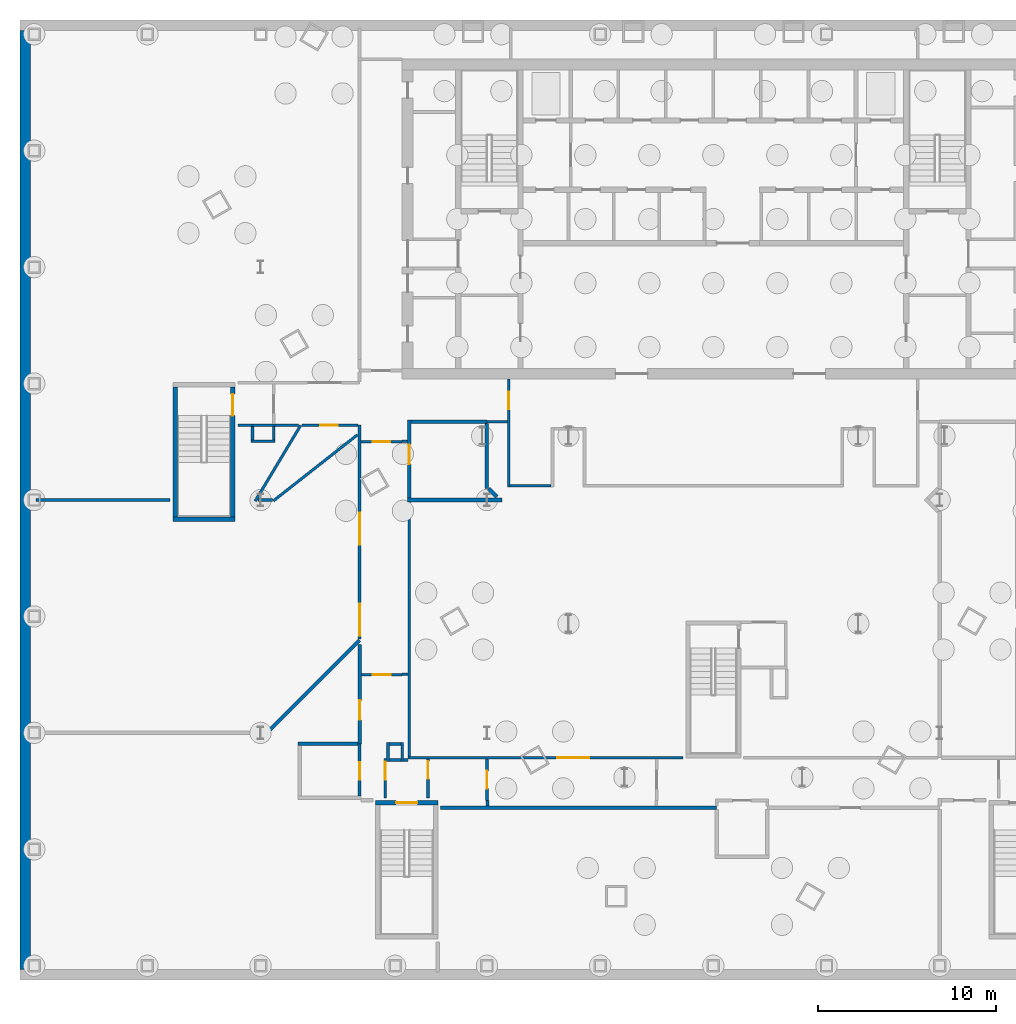
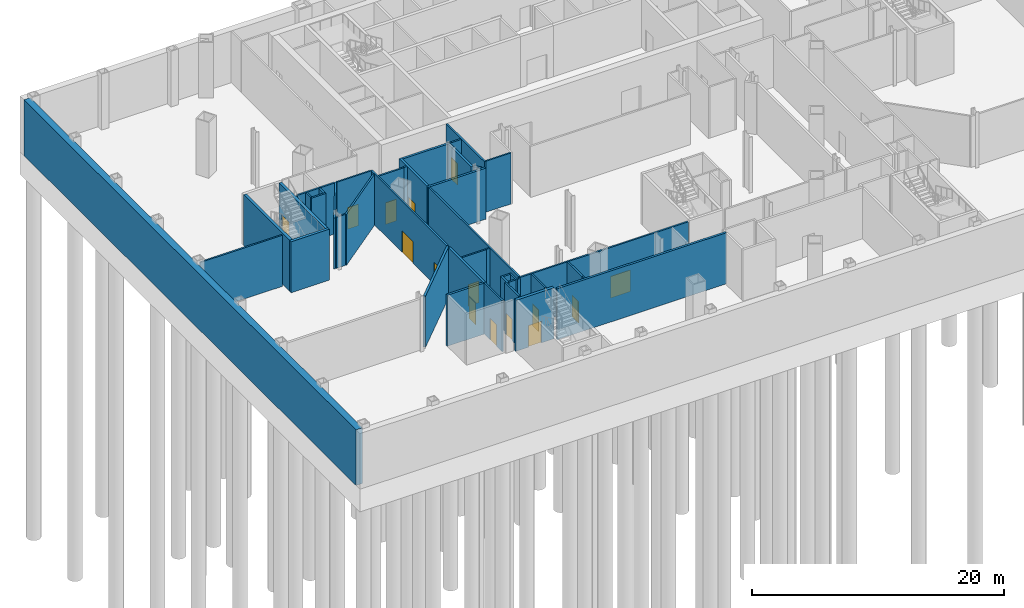
# One storey, part 6 of 19: 45 walls, 15 doors, 15 openings.
"""IFC4 building model written with IfcOpenShell, lengths in metres."""

import ifcopenshell
import ifcopenshell.guid

model = None  # the IFC model being written
_history = None  # IfcOwnerHistory: only IFC2X3 demands one
_inside = {}  # id of a spatial element -> (the spatial element, [elements in it])
_under = {}  # id of a project, library or spatial element -> (it, [spatial elements below it])
_declared = {}  # id of a project -> (the project, [libraries it declares])
_typed = {}  # id of a type object -> (the type object, [elements of that type])
_made_of = {}  # id of a material, layer set ... -> (it, [elements and type objects made of it])


def new_model(schema):
    """Start an empty IFC model of exactly this schema.

    Asked for "IFC4X3", IfcOpenShell would pick the latest addendum, in which some entities
    have other attributes; the version numbers below select the first issue.
    IFC2X3 requires an IfcOwnerHistory on every rooted entity: one is made here for all.
    """
    global model, _history
    if schema == "IFC4X3":
        model = ifcopenshell.file(schema_version=(4, 3, 0, 0))
    else:
        model = ifcopenshell.file(schema=schema)
    _inside.clear()
    _under.clear()
    _declared.clear()
    _typed.clear()
    _made_of.clear()
    _history = None
    if model.schema == "IFC2X3":
        org = make("IfcOrganization", Name="unknown")
        user = make(
            "IfcPersonAndOrganization",
            ThePerson=make("IfcPerson", FamilyName="unknown"),
            TheOrganization=org,
        )
        app = make(
            "IfcApplication",
            ApplicationDeveloper=org,
            Version="unknown",
            ApplicationFullName="unknown",
            ApplicationIdentifier="unknown",
        )
        _history = make(
            "IfcOwnerHistory",
            OwningUser=user,
            OwningApplication=app,
            ChangeAction="ADDED",
            CreationDate=0,
        )
    return model


def make(cls, **values):
    """One entity of the class cls with the attributes given. An attribute that is None is left unset."""
    return model.create_entity(
        cls, **{name: value for name, value in values.items() if value is not None}
    )


def rooted(cls, **values):
    """An entity with a GlobalId (a new one), such as an element, a storey or a relation."""
    return make(cls, GlobalId=ifcopenshell.guid.new(), OwnerHistory=_history, **values)


def si_unit(unit_type, name, prefix=None):
    """IfcSIUnit, for example si_unit("LENGTHUNIT", "METRE", prefix="MILLI")."""
    return make("IfcSIUnit", UnitType=unit_type, Prefix=prefix, Name=name)


def assignment(units):
    """IfcUnitAssignment: the units of a project."""
    return None if units is None else make("IfcUnitAssignment", Units=units)


def point(xyz):
    """IfcCartesianPoint."""
    return None if xyz is None else make("IfcCartesianPoint", Coordinates=xyz)


def direction(xyz):
    """IfcDirection."""
    return None if xyz is None else make("IfcDirection", DirectionRatios=xyz)


def frame(location, z_axis=None, x_axis=None):
    """IfcAxis2Placement3D, a coordinate frame: its origin and axes. An axis left out is left unset."""
    return make(
        "IfcAxis2Placement3D",
        Location=point(location),
        Axis=direction(z_axis),
        RefDirection=direction(x_axis),
    )


def frame_2d(location, x_axis=None):
    """IfcAxis2Placement2D, a coordinate frame in the plane: its origin and x axis."""
    return make(
        "IfcAxis2Placement2D", Location=point(location), RefDirection=direction(x_axis)
    )


def origin():
    """The frame at (0, 0, 0) with its axes left unset."""
    return frame((0.0, 0.0, 0.0))


def place(relative_to, where):
    """IfcLocalPlacement: puts the frame where relative to a parent placement (None: the world)."""
    return make(
        "IfcLocalPlacement", PlacementRelTo=relative_to, RelativePlacement=where
    )


def context(
    kind, dimensions, precision=None, world=None, true_north=None, identifier=None
):
    """IfcGeometricRepresentationContext, for example the 3D "Model" context."""
    return make(
        "IfcGeometricRepresentationContext",
        ContextIdentifier=identifier,
        ContextType=kind,
        CoordinateSpaceDimension=dimensions,
        Precision=precision,
        WorldCoordinateSystem=world,
        TrueNorth=true_north,
    )


def subcontext(parent, identifier, kind, view, scale=None):
    """IfcGeometricRepresentationSubContext, for example "Body" below "Model"."""
    return make(
        "IfcGeometricRepresentationSubContext",
        ContextIdentifier=identifier,
        ContextType=kind,
        ParentContext=parent,
        TargetScale=scale,
        TargetView=view,
    )


def project(units=None, contexts=None):
    """IfcProject with its units and contexts."""
    return rooted(
        "IfcProject",
        Name="project",
        RepresentationContexts=contexts,
        UnitsInContext=assignment(units),
    )


def spatial(cls, under=None, at=None, **own):
    """A site, building, storey or space (cls), placed at a placement, below another one or the project."""
    s = rooted(cls, ObjectPlacement=at, **own)
    if under is not None:
        _under.setdefault(under.id(), (under, []))[1].append(s)
    return s


def profile(cls, at=None, kind="AREA", **sizes):
    """A parametric profile (cls). Its sizes go by their IFC names, for example OverallWidth=200.0."""
    return make(cls, ProfileType=kind, Position=at, **sizes)


def rectangle(**sizes):
    """IfcRectangleProfileDef."""
    return profile("IfcRectangleProfileDef", **sizes)


def extrude(swept, where, along, depth):
    """IfcExtrudedAreaSolid: the profile swept, set in the frame where, extruded along a direction by depth."""
    return make(
        "IfcExtrudedAreaSolid",
        SweptArea=swept,
        Position=where,
        ExtrudedDirection=direction(along),
        Depth=depth,
    )


def shape(context_of_items, identifier, shape_type, items):
    """IfcShapeRepresentation: the items that make up one representation, for example the "Body"."""
    return make(
        "IfcShapeRepresentation",
        ContextOfItems=context_of_items,
        RepresentationIdentifier=identifier,
        RepresentationType=shape_type,
        Items=items,
    )


def material(Name=None, Category=None):
    """IfcMaterial."""
    return make("IfcMaterial", Name=Name, Category=Category)


def layer(
    of_material, thickness, ventilated=None, Name=None, Category=None, Priority=None
):
    """IfcMaterialLayer: one layer of a wall or slab, of a material (None: an air gap)."""
    return make(
        "IfcMaterialLayer",
        Material=of_material,
        LayerThickness=thickness,
        IsVentilated=ventilated,
        Name=Name,
        Category=Category,
        Priority=Priority,
    )


def layer_set(layers, Name=None):
    """IfcMaterialLayerSet."""
    return make("IfcMaterialLayerSet", MaterialLayers=layers, LayerSetName=Name)


def made_of(thing, what):
    """Note that an element or type object is made of a material, layer set ...; save() writes the relation."""
    if what is not None:
        _made_of.setdefault(what.id(), (what, []))[1].append(thing)
    return thing


def type_object(cls, material=None, **own):
    """A type object (cls), such as IfcWallType, which elements share."""
    return made_of(rooted(cls, **own), material)


def element(
    cls,
    number,
    at=None,
    inside=None,
    cuts=None,
    type_object=None,
    material=None,
    context=None,
    identifier="Body",
    shape_type=None,
    held_by="IfcProductDefinitionShape",
    body=None,
    shapes=None,
    **own,
):
    """One element of the class cls, such as IfcWall. Its Tag is "e" and its number.

    at: its placement. inside: the storey or other place that contains it. cuts: it is an
    opening in that element (IfcRelVoidsElement). A single representation is given by context,
    identifier, shape_type and body (its items); several are given by shapes. held_by: the class
    of the entity that holds the representations. save() writes the other relations.
    """
    e = rooted(cls, Tag="e%d" % number, ObjectPlacement=at, **own)
    if body is not None:
        shapes = [shape(context, identifier, shape_type, body)]
    if shapes is not None:
        e.Representation = make(held_by, Representations=shapes)
    if inside is not None:
        _inside.setdefault(inside.id(), (inside, []))[1].append(e)
    if cuts is not None:
        rooted(
            "IfcRelVoidsElement", RelatingBuildingElement=cuts, RelatedOpeningElement=e
        )
    if type_object is not None:
        _typed.setdefault(type_object.id(), (type_object, []))[1].append(e)
    return made_of(e, material)


def fill(opening, filler):
    """IfcRelFillsElement: the door or window that sits in an opening."""
    return rooted(
        "IfcRelFillsElement",
        RelatingOpeningElement=opening,
        RelatedBuildingElement=filler,
    )


def aggregate(whole, parts):
    """IfcRelAggregates: a whole, such as a stair, and the parts it consists of."""
    return rooted("IfcRelAggregates", RelatingObject=whole, RelatedObjects=parts)


def save(model, path):
    """Write the relations noted so far, then the file.

    IfcRelAggregates (storeys below a building ...), IfcRelContainedInSpatialStructure (elements
    in a storey), IfcRelDefinesByType, IfcRelAssociatesMaterial and IfcRelDeclares: one each for
    every whole, place, type object, material and project.
    """
    for whole, parts in _under.values():
        aggregate(whole, parts)
    for where, things in _inside.values():
        rooted(
            "IfcRelContainedInSpatialStructure",
            RelatedElements=things,
            RelatingStructure=where,
        )
    for kind, things in _typed.values():
        rooted("IfcRelDefinesByType", RelatedObjects=things, RelatingType=kind)
    for what, things in _made_of.values():
        rooted("IfcRelAssociatesMaterial", RelatedObjects=things, RelatingMaterial=what)
    for by, libraries in _declared.values():
        rooted("IfcRelDeclares", RelatingContext=by, RelatedDefinitions=libraries)
    model.write(path)


model = new_model("IFC4")

# Units and contexts
model_context = context("Model", 3, precision=1e-05, world=origin(), true_north=direction((0.0, 1.0)))
body_context = subcontext(model_context, "Body", "Model", "MODEL_VIEW")
ifc_project = project(units=[si_unit("LENGTHUNIT", "METRE"), si_unit("AREAUNIT", "SQUARE_METRE"), si_unit("VOLUMEUNIT", "CUBIC_METRE"), si_unit("PLANEANGLEUNIT", "RADIAN"), si_unit("MASSUNIT", "GRAM", prefix="KILO")], contexts=[model_context])

# Site, building, storey
site_placement = place(None, origin())
site = spatial("IfcSite", under=ifc_project, at=site_placement, CompositionType="ELEMENT")
building_placement = place(site_placement, origin())
building = spatial("IfcBuilding", under=site, at=building_placement, Name="Njiva Tower", CompositionType="ELEMENT")
storey_placement = place(building_placement, frame((0.0, 0.0, -16.8)))
storey = spatial("IfcBuildingStorey", under=building, at=storey_placement, Name="B3", CompositionType="ELEMENT", Elevation=-16.8)

# Walls
ifc_material_1 = material(Name="Gypsum board on steel studs", Category="gypsum")
ifc_layer_1 = layer(ifc_material_1, 0.15)
ifc_layer_set_1 = layer_set([ifc_layer_1], Name="Gypsum board on steel studs")
wall_type_1 = type_object("IfcWallType", Name="WT21 Compartment wall 150", PredefinedType="PARTITIONING", material=ifc_layer_set_1)
wall_1_placement = place(storey_placement, frame((-38.1, -6.8, 0.0), z_axis=(0.0, 0.0, 1.0), x_axis=(1.0, 0.0, 0.0)))
element("IfcWall", 1, at=wall_1_placement, inside=storey, type_object=wall_type_1, Name="Partition B3-P002", PredefinedType="PARTITIONING", context=body_context, shape_type="SweptSolid", body=[
    extrude(rectangle(XDim=7.55, YDim=0.15, at=frame_2d((3.775, 0.0))), origin(), (0.0, 0.0, 1.0), 4.95),
])
wall_2_placement = place(storey_placement, frame((-26.75, -2.6, 0.0), z_axis=(0.0, 0.0, 1.0), x_axis=(1.0, 0.0, 0.0)))
element("IfcWall", 2, at=wall_2_placement, inside=storey, type_object=wall_type_1, Name="Partition B3-P003", PredefinedType="PARTITIONING", context=body_context, shape_type="SweptSolid", body=[
    extrude(rectangle(XDim=0.813, YDim=0.15, at=frame_2d((0.4065, 0.0))), origin(), (0.0, 0.0, 1.0), 4.95),
])
wall_3_placement = place(storey_placement, frame((-25.772, -6.864, 0.0), z_axis=(0.0, 0.0, 1.0), x_axis=(0.515027783153, 0.85717348453, 0.0)))
element("IfcWall", 3, at=wall_3_placement, inside=storey, type_object=wall_type_1, Name="Partition B3-P008", PredefinedType="PARTITIONING", context=body_context, shape_type="SweptSolid", body=[
    extrude(rectangle(XDim=4.9745, YDim=0.15, at=frame_2d((2.4872, 0.0))), origin(), (0.0, 0.0, 1.0), 4.95),
])
wall_4_placement = place(storey_placement, frame((-25.6, -6.8, 0.0), z_axis=(0.0, 0.0, 1.0), x_axis=(1.0, 0.0, 0.0)))
element("IfcWall", 4, at=wall_4_placement, inside=storey, type_object=wall_type_1, Name="Partition B3-P009", PredefinedType="PARTITIONING", context=body_context, shape_type="SweptSolid", body=[
    extrude(rectangle(XDim=0.809, YDim=0.15, at=frame_2d((0.4045, 0.0))), origin(), (0.0, 0.0, 1.0), 4.95),
])
wall_5_placement = place(storey_placement, frame((-24.745, -6.846, 0.0), z_axis=(0.0, 0.0, 1.0), x_axis=(0.786295235231, 0.617850955372, 0.0)))
element("IfcWall", 5, at=wall_5_placement, inside=storey, type_object=wall_type_1, Name="Partition B3-P011", PredefinedType="PARTITIONING", context=body_context, shape_type="SweptSolid", body=[
    extrude(rectangle(XDim=6.0079, YDim=0.15, at=frame_2d((3.004, 0.0))), origin(), (0.0, 0.0, 1.0), 4.95),
])
wall_6_placement = place(storey_placement, frame((-24.65, -2.6, 0.0), z_axis=(0.0, 0.0, 1.0), x_axis=(1.0, 0.0, 0.0)))
element("IfcWall", 6, at=wall_6_placement, inside=storey, type_object=wall_type_1, Name="Partition B3-P014", PredefinedType="PARTITIONING", context=body_context, shape_type="SweptSolid", body=[
    extrude(rectangle(XDim=1.307, YDim=0.15, at=frame_2d((0.6535, 0.0))), origin(), (0.0, 0.0, 1.0), 4.95),
])

# Wall, opening, door
wall_7_placement = place(storey_placement, frame((-23.146, -2.6, 0.0), z_axis=(0.0, 0.0, 1.0), x_axis=(1.0, 0.0, 0.0)))
wall_7 = element("IfcWall", 7, at=wall_7_placement, inside=storey, type_object=wall_type_1, Name="Partition B3-P018", PredefinedType="PARTITIONING", context=body_context, shape_type="SweptSolid", body=[
    extrude(rectangle(XDim=3.171, YDim=0.15, at=frame_2d((1.5855, 0.0))), origin(), (0.0, 0.0, 1.0), 4.95),
])
opening_1_placement = place(wall_7_placement, frame((1.033, 0.0, 0.0)))
opening_1 = element("IfcOpeningElement", 8, at=opening_1_placement, cuts=wall_7, Name="Opening B3-D003", PredefinedType="OPENING", context=body_context, shape_type="SweptSolid", body=[
    extrude(rectangle(XDim=1.0, YDim=2.1, at=frame_2d((0.5, 1.05))), frame((0.0, 0.085, 0.0), z_axis=(0.0, -1.0, 0.0), x_axis=(1.0, 0.0, 0.0)), (0.0, 0.0, 1.0), 0.17),
])
ifc_material_2 = material(Name="Steel fire door set", Category="steel")
door_type_1 = type_object("IfcDoorType", Name="D37 Fire door 1000x2100", OperationType="SINGLE_SWING_LEFT", PredefinedType="DOOR", material=ifc_material_2)
door_1_placement = place(opening_1_placement, origin())
door_1 = element("IfcDoor", 9, at=door_1_placement, inside=storey, type_object=door_type_1, Name="Door B3-D003", OperationType="SINGLE_SWING_LEFT", OverallHeight=2.1, OverallWidth=1.0, PredefinedType="DOOR", context=body_context, shape_type="SweptSolid", body=[
    extrude(rectangle(XDim=1.0, YDim=2.1, at=frame_2d((0.5, 1.05))), frame((0.0, 0.025, 0.0), z_axis=(0.0, -1.0, 0.0), x_axis=(1.0, 0.0, 0.0)), (0.0, 0.0, 1.0), 0.05),
])
fill(opening_1, door_1)

wall_8_placement = place(storey_placement, frame((-19.9, -23.45, 0.0), z_axis=(0.0, 0.0, 1.0), x_axis=(0.0, 1.0, 0.0)))
wall_8 = element("IfcWall", 10, at=wall_8_placement, inside=storey, type_object=wall_type_1, Name="Partition B3-P020", PredefinedType="PARTITIONING", context=body_context, shape_type="SweptSolid", body=[
    extrude(rectangle(XDim=2.918, YDim=0.15, at=frame_2d((1.459, 0.0))), origin(), (0.0, 0.0, 1.0), 4.95),
])
opening_2_placement = place(wall_8_placement, frame((0.908, 0.0, 0.0)))
opening_2 = element("IfcOpeningElement", 11, at=opening_2_placement, cuts=wall_8, Name="Opening B3-D004", PredefinedType="OPENING", context=body_context, shape_type="SweptSolid", body=[
    extrude(rectangle(XDim=1.0, YDim=2.1, at=frame_2d((0.5, 1.05))), frame((0.0, 0.085, 0.0), z_axis=(0.0, -1.0, 0.0), x_axis=(1.0, 0.0, 0.0)), (0.0, 0.0, 1.0), 0.17),
])
door_2_placement = place(opening_2_placement, origin())
door_2 = element("IfcDoor", 12, at=door_2_placement, inside=storey, type_object=door_type_1, Name="Door B3-D004", OperationType="SINGLE_SWING_RIGHT", OverallHeight=2.1, OverallWidth=1.0, PredefinedType="DOOR", context=body_context, shape_type="SweptSolid", body=[
    extrude(rectangle(XDim=1.0, YDim=2.1, at=frame_2d((0.5, 1.05))), frame((0.0, 0.025, 0.0), z_axis=(0.0, -1.0, 0.0), x_axis=(1.0, 0.0, 0.0)), (0.0, 0.0, 1.0), 0.05),
])
fill(opening_2, door_2)

# Wall, openings, doors
wall_9_placement = place(storey_placement, frame((-19.9, -14.627, 0.0), z_axis=(0.0, 0.0, 1.0), x_axis=(0.0, 1.0, 0.0)))
wall_9 = element("IfcWall", 13, at=wall_9_placement, inside=storey, type_object=wall_type_1, Name="Partition B3-P022", PredefinedType="PARTITIONING", context=body_context, shape_type="SweptSolid", body=[
    extrude(rectangle(XDim=12.039, YDim=0.15, at=frame_2d((6.0195, 0.0))), origin(), (0.0, 0.0, 1.0), 4.95),
])
opening_3_placement = place(wall_9_placement, frame((0.2, 0.0, 0.0)))
opening_3 = element("IfcOpeningElement", 14, at=opening_3_placement, cuts=wall_9, Name="Opening B3-D006", PredefinedType="OPENING", context=body_context, shape_type="SweptSolid", body=[
    extrude(rectangle(XDim=1.8, YDim=2.1, at=frame_2d((0.9, 1.05))), frame((0.0, 0.085, 0.0), z_axis=(0.0, -1.0, 0.0), x_axis=(1.0, 0.0, 0.0)), (0.0, 0.0, 1.0), 0.17),
])
opening_4_placement = place(wall_9_placement, frame((5.308, 0.0, 0.0)))
opening_4 = element("IfcOpeningElement", 15, at=opening_4_placement, cuts=wall_9, Name="Opening B3-D007", PredefinedType="OPENING", context=body_context, shape_type="SweptSolid", body=[
    extrude(rectangle(XDim=1.8, YDim=2.1, at=frame_2d((0.9, 1.05))), frame((0.0, 0.085, 0.0), z_axis=(0.0, -1.0, 0.0), x_axis=(1.0, 0.0, 0.0)), (0.0, 0.0, 1.0), 0.17),
])
door_type_2 = type_object("IfcDoorType", Name="D38 Fire door 1800x2100", OperationType="DOUBLE_DOOR_SINGLE_SWING", PredefinedType="DOOR", material=ifc_material_2)
door_3_placement = place(opening_3_placement, origin())
door_3 = element("IfcDoor", 16, at=door_3_placement, inside=storey, type_object=door_type_2, Name="Door B3-D006", OperationType="DOUBLE_DOOR_SINGLE_SWING", OverallHeight=2.1, OverallWidth=1.8, PredefinedType="DOOR", context=body_context, shape_type="SweptSolid", body=[
    extrude(rectangle(XDim=1.8, YDim=2.1, at=frame_2d((0.9, 1.05))), frame((0.0, 0.025, 0.0), z_axis=(0.0, -1.0, 0.0), x_axis=(1.0, 0.0, 0.0)), (0.0, 0.0, 1.0), 0.05),
])
fill(opening_3, door_3)
door_4_placement = place(opening_4_placement, origin())
door_4 = element("IfcDoor", 17, at=door_4_placement, inside=storey, type_object=door_type_2, Name="Door B3-D007", OperationType="DOUBLE_DOOR_SINGLE_SWING", OverallHeight=2.1, OverallWidth=1.8, PredefinedType="DOOR", context=body_context, shape_type="SweptSolid", body=[
    extrude(rectangle(XDim=1.8, YDim=2.1, at=frame_2d((0.9, 1.05))), frame((0.0, 0.025, 0.0), z_axis=(0.0, -1.0, 0.0), x_axis=(1.0, 0.0, 0.0)), (0.0, 0.0, 1.0), 0.05),
])
fill(opening_4, door_4)

# Wall, opening, door
wall_10_placement = place(storey_placement, frame((-19.825, -3.525, 0.0), z_axis=(0.0, 0.0, 1.0), x_axis=(1.0, 0.0, 0.0)))
wall_10 = element("IfcWall", 18, at=wall_10_placement, inside=storey, type_object=wall_type_1, Name="Partition B3-P029", PredefinedType="PARTITIONING", context=body_context, shape_type="SweptSolid", body=[
    extrude(rectangle(XDim=2.325, YDim=0.15, at=frame_2d((1.1625, 0.0))), origin(), (0.0, 0.0, 1.0), 4.95),
])
opening_5_placement = place(wall_10_placement, frame((0.662, 0.0, 0.0)))
opening_5 = element("IfcOpeningElement", 19, at=opening_5_placement, cuts=wall_10, Name="Opening B3-D009", PredefinedType="OPENING", context=body_context, shape_type="SweptSolid", body=[
    extrude(rectangle(XDim=1.0, YDim=2.1, at=frame_2d((0.5, 1.05))), frame((0.0, 0.085, 0.0), z_axis=(0.0, -1.0, 0.0), x_axis=(1.0, 0.0, 0.0)), (0.0, 0.0, 1.0), 0.17),
])
door_5_placement = place(opening_5_placement, origin())
door_5 = element("IfcDoor", 20, at=door_5_placement, inside=storey, type_object=door_type_1, Name="Door B3-D009", OperationType="SINGLE_SWING_RIGHT", OverallHeight=2.1, OverallWidth=1.0, PredefinedType="DOOR", context=body_context, shape_type="SweptSolid", body=[
    extrude(rectangle(XDim=1.0, YDim=2.1, at=frame_2d((0.5, 1.05))), frame((0.0, 0.025, 0.0), z_axis=(0.0, -1.0, 0.0), x_axis=(1.0, 0.0, 0.0)), (0.0, 0.0, 1.0), 0.05),
])
fill(opening_5, door_5)

wall_11_placement = place(storey_placement, frame((-19.8, -16.625, 0.0), z_axis=(0.0, 0.0, 1.0), x_axis=(1.0, 0.0, 0.0)))
wall_11 = element("IfcWall", 21, at=wall_11_placement, inside=storey, type_object=wall_type_1, Name="Partition B3-P030", PredefinedType="PARTITIONING", context=body_context, shape_type="SweptSolid", body=[
    extrude(rectangle(XDim=2.3, YDim=0.15, at=frame_2d((1.15, 0.0))), origin(), (0.0, 0.0, 1.0), 4.95),
])
opening_6_placement = place(wall_11_placement, frame((0.65, 0.0, 0.0)))
opening_6 = element("IfcOpeningElement", 22, at=opening_6_placement, cuts=wall_11, Name="Opening B3-D010", PredefinedType="OPENING", context=body_context, shape_type="SweptSolid", body=[
    extrude(rectangle(XDim=1.0, YDim=2.1, at=frame_2d((0.5, 1.05))), frame((0.0, 0.085, 0.0), z_axis=(0.0, -1.0, 0.0), x_axis=(1.0, 0.0, 0.0)), (0.0, 0.0, 1.0), 0.17),
])
door_6_placement = place(opening_6_placement, origin())
door_6 = element("IfcDoor", 23, at=door_6_placement, inside=storey, type_object=door_type_1, Name="Door B3-D010", OperationType="SINGLE_SWING_RIGHT", OverallHeight=2.1, OverallWidth=1.0, PredefinedType="DOOR", context=body_context, shape_type="SweptSolid", body=[
    extrude(rectangle(XDim=1.0, YDim=2.1, at=frame_2d((0.5, 1.05))), frame((0.0, 0.025, 0.0), z_axis=(0.0, -1.0, 0.0), x_axis=(1.0, 0.0, 0.0)), (0.0, 0.0, 1.0), 0.05),
])
fill(opening_6, door_6)

wall_12_placement = place(storey_placement, frame((-18.45, -23.55, 0.0), z_axis=(0.0, 0.0, 1.0), x_axis=(0.0, 1.0, 0.0)))
wall_12 = element("IfcWall", 24, at=wall_12_placement, inside=storey, type_object=wall_type_1, Name="Partition B3-P031", PredefinedType="PARTITIONING", context=body_context, shape_type="SweptSolid", body=[
    extrude(rectangle(XDim=2.2, YDim=0.15, at=frame_2d((1.1, 0.0))), origin(), (0.0, 0.0, 1.0), 4.95),
])
opening_7_placement = place(wall_12_placement, frame((1.013, 0.0, 0.0)))
opening_7 = element("IfcOpeningElement", 25, at=opening_7_placement, cuts=wall_12, Name="Opening B3-D011", PredefinedType="OPENING", context=body_context, shape_type="SweptSolid", body=[
    extrude(rectangle(XDim=1.0, YDim=2.1, at=frame_2d((0.5, 1.05))), frame((0.0, 0.085, 0.0), z_axis=(0.0, -1.0, 0.0), x_axis=(1.0, 0.0, 0.0)), (0.0, 0.0, 1.0), 0.17),
])
ifc_material_3 = material(Name="Glazed steel fire door", Category="steel")
door_type_3 = type_object("IfcDoorType", Name="D41 Glazed fire door 1000x2100", OperationType="SINGLE_SWING_LEFT", PredefinedType="DOOR", material=ifc_material_3)
door_7_placement = place(opening_7_placement, origin())
door_7 = element("IfcDoor", 26, at=door_7_placement, inside=storey, type_object=door_type_3, Name="Door B3-D011", OperationType="SINGLE_SWING_RIGHT", OverallHeight=2.1, OverallWidth=1.0, PredefinedType="DOOR", context=body_context, shape_type="SweptSolid", body=[
    extrude(rectangle(XDim=1.0, YDim=2.1, at=frame_2d((0.5, 1.05))), frame((0.0, 0.025, 0.0), z_axis=(0.0, -1.0, 0.0), x_axis=(1.0, 0.0, 0.0)), (0.0, 0.0, 1.0), 0.05),
])
fill(opening_7, door_7)

# Walls
wall_13_placement = place(storey_placement, frame((-17.5, -16.6, 0.0), z_axis=(0.0, 0.0, 1.0), x_axis=(1.0, 0.0, 0.0)))
element("IfcWall", 27, at=wall_13_placement, inside=storey, type_object=wall_type_1, Name="Partition B3-P036", PredefinedType="PARTITIONING", context=body_context, shape_type="SweptSolid", body=[
    extrude(rectangle(XDim=0.325, YDim=0.15, at=frame_2d((0.1625, 0.0))), origin(), (0.0, 0.0, 1.0), 4.95),
])
wall_14_placement = place(storey_placement, frame((-17.5, -3.5, 0.0), z_axis=(0.0, 0.0, 1.0), x_axis=(1.0, 0.0, 0.0)))
element("IfcWall", 28, at=wall_14_placement, inside=storey, type_object=wall_type_1, Name="Partition B3-P037", PredefinedType="PARTITIONING", context=body_context, shape_type="SweptSolid", body=[
    extrude(rectangle(XDim=0.3, YDim=0.15, at=frame_2d((0.15, 0.0))), origin(), (0.0, 0.0, 1.0), 4.95),
])
wall_15_placement = place(storey_placement, frame((-17.425, -21.425, 0.0), z_axis=(0.0, 0.0, 1.0), x_axis=(1.0, 0.0, 0.0)))
element("IfcWall", 29, at=wall_15_placement, inside=storey, type_object=wall_type_1, Name="Partition B3-P038", PredefinedType="PARTITIONING", context=body_context, shape_type="SweptSolid", body=[
    extrude(rectangle(XDim=0.25, YDim=0.15, at=frame_2d((0.125, 0.0))), origin(), (0.0, 0.0, 1.0), 4.95),
])

# Wall, opening, door
wall_16_placement = place(storey_placement, frame((-17.175, -21.3, 0.0), z_axis=(0.0, 0.0, 1.0), x_axis=(1.0, 0.0, 0.0)))
wall_16 = element("IfcWall", 30, at=wall_16_placement, inside=storey, type_object=wall_type_1, Name="Partition B3-P040", PredefinedType="PARTITIONING", context=body_context, shape_type="SweptSolid", body=[
    extrude(rectangle(XDim=15.475, YDim=0.15, at=frame_2d((7.7375, 0.0))), origin(), (0.0, 0.0, 1.0), 4.95),
])
opening_8_placement = place(wall_16_placement, frame((8.393, 0.0, 0.0)))
opening_8 = element("IfcOpeningElement", 31, at=opening_8_placement, cuts=wall_16, Name="Opening B3-D012", PredefinedType="OPENING", context=body_context, shape_type="SweptSolid", body=[
    extrude(rectangle(XDim=1.8, YDim=2.1, at=frame_2d((0.9, 1.05))), frame((0.0, 0.085, 0.0), z_axis=(0.0, -1.0, 0.0), x_axis=(1.0, 0.0, 0.0)), (0.0, 0.0, 1.0), 0.17),
])
door_8_placement = place(opening_8_placement, origin())
door_8 = element("IfcDoor", 32, at=door_8_placement, inside=storey, type_object=door_type_2, Name="Door B3-D012", OperationType="DOUBLE_DOOR_SINGLE_SWING", OverallHeight=2.1, OverallWidth=1.8, PredefinedType="DOOR", context=body_context, shape_type="SweptSolid", body=[
    extrude(rectangle(XDim=1.8, YDim=2.1, at=frame_2d((0.9, 1.05))), frame((0.0, 0.025, 0.0), z_axis=(0.0, -1.0, 0.0), x_axis=(1.0, 0.0, 0.0)), (0.0, 0.0, 1.0), 0.05),
])
fill(opening_8, door_8)

# Wall
wall_17_placement = place(storey_placement, frame((-17.1, -21.225, 0.0), z_axis=(0.0, 0.0, 1.0), x_axis=(0.0, 1.0, 0.0)))
element("IfcWall", 33, at=wall_17_placement, inside=storey, type_object=wall_type_1, Name="Partition B3-P041", PredefinedType="PARTITIONING", context=body_context, shape_type="SweptSolid", body=[
    extrude(rectangle(XDim=14.326, YDim=0.15, at=frame_2d((7.163, 0.0))), origin(), (0.0, 0.0, 1.0), 4.95),
])

# Wall, opening, door
wall_18_placement = place(storey_placement, frame((-16.05, -23.55, 0.0), z_axis=(0.0, 0.0, 1.0), x_axis=(0.0, 1.0, 0.0)))
wall_18 = element("IfcWall", 34, at=wall_18_placement, inside=storey, type_object=wall_type_1, Name="Partition B3-P044", PredefinedType="PARTITIONING", context=body_context, shape_type="SweptSolid", body=[
    extrude(rectangle(XDim=2.175, YDim=0.15, at=frame_2d((1.0875, 0.0))), origin(), (0.0, 0.0, 1.0), 4.95),
])
opening_9_placement = place(wall_18_placement, frame((1.063, 0.0, 0.0)))
opening_9 = element("IfcOpeningElement", 35, at=opening_9_placement, cuts=wall_18, Name="Opening B3-D014", PredefinedType="OPENING", context=body_context, shape_type="SweptSolid", body=[
    extrude(rectangle(XDim=1.0, YDim=2.1, at=frame_2d((0.5, 1.05))), frame((0.0, 0.085, 0.0), z_axis=(0.0, -1.0, 0.0), x_axis=(1.0, 0.0, 0.0)), (0.0, 0.0, 1.0), 0.17),
])
door_9_placement = place(opening_9_placement, origin())
door_9 = element("IfcDoor", 36, at=door_9_placement, inside=storey, type_object=door_type_3, Name="Door B3-D014", OperationType="SINGLE_SWING_LEFT", OverallHeight=2.1, OverallWidth=1.0, PredefinedType="DOOR", context=body_context, shape_type="SweptSolid", body=[
    extrude(rectangle(XDim=1.0, YDim=2.1, at=frame_2d((0.5, 1.05))), frame((0.0, 0.025, 0.0), z_axis=(0.0, -1.0, 0.0), x_axis=(1.0, 0.0, 0.0)), (0.0, 0.0, 1.0), 0.05),
])
fill(opening_9, door_9)

wall_19_placement = place(storey_placement, frame((-12.73, -23.7, 0.0), z_axis=(0.0, 0.0, 1.0), x_axis=(0.0, 1.0, 0.0)))
wall_19 = element("IfcWall", 37, at=wall_19_placement, inside=storey, type_object=wall_type_1, Name="Partition B3-P048", PredefinedType="PARTITIONING", context=body_context, shape_type="SweptSolid", body=[
    extrude(rectangle(XDim=2.325, YDim=0.15, at=frame_2d((1.1625, 0.0))), origin(), (0.0, 0.0, 1.0), 4.95),
])
opening_10_placement = place(wall_19_placement, frame((0.662, 0.0, 0.0)))
opening_10 = element("IfcOpeningElement", 38, at=opening_10_placement, cuts=wall_19, Name="Opening B3-D015", PredefinedType="OPENING", context=body_context, shape_type="SweptSolid", body=[
    extrude(rectangle(XDim=1.0, YDim=2.1, at=frame_2d((0.5, 1.05))), frame((0.0, 0.085, 0.0), z_axis=(0.0, -1.0, 0.0), x_axis=(1.0, 0.0, 0.0)), (0.0, 0.0, 1.0), 0.17),
])
door_10_placement = place(opening_10_placement, origin())
door_10 = element("IfcDoor", 39, at=door_10_placement, inside=storey, type_object=door_type_1, Name="Door B3-D015", OperationType="SINGLE_SWING_RIGHT", OverallHeight=2.1, OverallWidth=1.0, PredefinedType="DOOR", context=body_context, shape_type="SweptSolid", body=[
    extrude(rectangle(XDim=1.0, YDim=2.1, at=frame_2d((0.5, 1.05))), frame((0.0, 0.025, 0.0), z_axis=(0.0, -1.0, 0.0), x_axis=(1.0, 0.0, 0.0)), (0.0, 0.0, 1.0), 0.05),
])
fill(opening_10, door_10)

# Walls
wall_20_placement = place(storey_placement, frame((-12.721, -2.4, 0.0), z_axis=(0.0, 0.0, 1.0), x_axis=(1.0, 0.0, 0.0)))
element("IfcWall", 40, at=wall_20_placement, inside=storey, type_object=wall_type_1, Name="Partition B3-P049", PredefinedType="PARTITIONING", context=body_context, shape_type="SweptSolid", body=[
    extrude(rectangle(XDim=1.146, YDim=0.15, at=frame_2d((0.573, 0.0))), origin(), (0.0, 0.0, 1.0), 4.95),
])
wall_21_placement = place(storey_placement, frame((-12.702, -24.0, 0.0), z_axis=(0.0, 0.0, 1.0), x_axis=(0.0, 1.0, 0.0)))
element("IfcWall", 41, at=wall_21_placement, inside=storey, type_object=wall_type_1, Name="Partition B3-P050", PredefinedType="PARTITIONING", context=body_context, shape_type="SweptSolid", body=[
    extrude(rectangle(XDim=0.3, YDim=0.15, at=frame_2d((0.15, 0.0))), origin(), (0.0, 0.0, 1.0), 4.95),
])

# Wall, opening, door
wall_22_placement = place(storey_placement, frame((-11.5, -6.075, 0.0), z_axis=(0.0, 0.0, 1.0), x_axis=(0.0, 1.0, 0.0)))
wall_22 = element("IfcWall", 42, at=wall_22_placement, inside=storey, type_object=wall_type_1, Name="Partition B3-P052", PredefinedType="PARTITIONING", context=body_context, shape_type="SweptSolid", body=[
    extrude(rectangle(XDim=6.075, YDim=0.15, at=frame_2d((3.0375, 0.0))), origin(), (0.0, 0.0, 1.0), 4.95),
])
opening_11_placement = place(wall_22_placement, frame((4.375, 0.0, 0.0)))
opening_11 = element("IfcOpeningElement", 43, at=opening_11_placement, cuts=wall_22, Name="Opening B3-D016", PredefinedType="OPENING", context=body_context, shape_type="SweptSolid", body=[
    extrude(rectangle(XDim=1.0, YDim=2.1, at=frame_2d((0.5, 1.05))), frame((0.0, 0.085, 0.0), z_axis=(0.0, -1.0, 0.0), x_axis=(1.0, 0.0, 0.0)), (0.0, 0.0, 1.0), 0.17),
])
door_11_placement = place(opening_11_placement, origin())
door_11 = element("IfcDoor", 44, at=door_11_placement, inside=storey, type_object=door_type_1, Name="Door B3-D016", OperationType="SINGLE_SWING_LEFT", OverallHeight=2.1, OverallWidth=1.0, PredefinedType="DOOR", context=body_context, shape_type="SweptSolid", body=[
    extrude(rectangle(XDim=1.0, YDim=2.1, at=frame_2d((0.5, 1.05))), frame((0.0, 0.025, 0.0), z_axis=(0.0, -1.0, 0.0), x_axis=(1.0, 0.0, 0.0)), (0.0, 0.0, 1.0), 0.05),
])
fill(opening_11, door_11)

# Walls
wall_23_placement = place(storey_placement, frame((-11.425, -6.0, 0.0), z_axis=(0.0, 0.0, 1.0), x_axis=(1.0, 0.0, 0.0)))
element("IfcWall", 45, at=wall_23_placement, inside=storey, type_object=wall_type_1, Name="Partition B3-P053", PredefinedType="PARTITIONING", context=body_context, shape_type="SweptSolid", body=[
    extrude(rectangle(XDim=2.3, YDim=0.15, at=frame_2d((1.15, 0.0))), origin(), (0.0, 0.0, 1.0), 4.95),
])
ifc_material_4 = material(Name="Blockwork", Category="masonry")
ifc_layer_2 = layer(ifc_material_4, 0.2)
ifc_layer_set_2 = layer_set([ifc_layer_2], Name="Blockwork")
wall_type_2 = type_object("IfcWallType", Name="WT22 Plant room wall 200", PredefinedType="PARTITIONING", material=ifc_layer_set_2)
wall_24_placement = place(storey_placement, frame((-25.002, -19.8, 0.0), z_axis=(0.0, 0.0, 1.0), x_axis=(0.707106781187, 0.707106781187, 0.0)))
element("IfcWall", 46, at=wall_24_placement, inside=storey, type_object=wall_type_2, Name="Partition B3-P010", PredefinedType="PARTITIONING", context=body_context, shape_type="SweptSolid", body=[
    extrude(rectangle(XDim=7.2153, YDim=0.2, at=frame_2d((3.6076, 0.0))), origin(), (0.0, 0.0, 1.0), 4.95),
])
wall_25_placement = place(storey_placement, frame((-23.366, -20.52, 0.0), z_axis=(0.0, 0.0, 1.0), x_axis=(1.0, 0.0, 0.0)))
element("IfcWall", 47, at=wall_25_placement, inside=storey, type_object=wall_type_2, Name="Partition B3-P016", PredefinedType="PARTITIONING", context=body_context, shape_type="SweptSolid", body=[
    extrude(rectangle(XDim=3.366, YDim=0.2, at=frame_2d((1.683, 0.0))), origin(), (0.0, 0.0, 1.0), 4.95),
])

# Wall, opening, door
wall_26_placement = place(storey_placement, frame((-19.9, -20.532, 0.0), z_axis=(0.0, 0.0, 1.0), x_axis=(0.0, 1.0, 0.0)))
wall_26 = element("IfcWall", 48, at=wall_26_placement, inside=storey, type_object=wall_type_2, Name="Partition B3-P021", PredefinedType="PARTITIONING", context=body_context, shape_type="SweptSolid", body=[
    extrude(rectangle(XDim=5.593, YDim=0.2, at=frame_2d((2.7965, 0.0))), origin(), (0.0, 0.0, 1.0), 4.95),
])
opening_12_placement = place(wall_26_placement, frame((1.365, 0.0, 0.0)))
opening_12 = element("IfcOpeningElement", 49, at=opening_12_placement, cuts=wall_26, Name="Opening B3-D005", PredefinedType="OPENING", context=body_context, shape_type="SweptSolid", body=[
    extrude(rectangle(XDim=1.1, YDim=2.1, at=frame_2d((0.55, 1.05))), frame((0.0, 0.11, 0.0), z_axis=(0.0, -1.0, 0.0), x_axis=(1.0, 0.0, 0.0)), (0.0, 0.0, 1.0), 0.22),
])
ifc_material_5 = material(Name="Steel door set", Category="steel")
door_type_4 = type_object("IfcDoorType", Name="D34 Plant door 1100x2100", OperationType="SINGLE_SWING_LEFT", PredefinedType="DOOR", material=ifc_material_5)
door_12_placement = place(opening_12_placement, origin())
door_12 = element("IfcDoor", 50, at=door_12_placement, inside=storey, type_object=door_type_4, Name="Door B3-D005", OperationType="SINGLE_SWING_RIGHT", OverallHeight=2.1, OverallWidth=1.1, PredefinedType="DOOR", context=body_context, shape_type="SweptSolid", body=[
    extrude(rectangle(XDim=1.1, YDim=2.1, at=frame_2d((0.55, 1.05))), frame((0.0, 0.025, 0.0), z_axis=(0.0, -1.0, 0.0), x_axis=(1.0, 0.0, 0.0)), (0.0, 0.0, 1.0), 0.05),
])
fill(opening_12, door_12)

# Wall
wall_27_placement = place(storey_placement, frame((-17.2, -6.799, 0.0), z_axis=(0.0, 0.0, 1.0), x_axis=(0.999999982193, -0.000188714848, 0.0)))
element("IfcWall", 51, at=wall_27_placement, inside=storey, type_object=wall_type_2, Name="Partition B3-P039", PredefinedType="PARTITIONING", context=body_context, shape_type="SweptSolid", body=[
    extrude(rectangle(XDim=5.299, YDim=0.2, at=frame_2d((2.6495, 0.0))), origin(), (0.0, 0.0, 1.0), 4.95),
])

# Wall, opening, door
wall_28_placement = place(storey_placement, frame((-17.1, -6.699, 0.0), z_axis=(0.0, 0.0, 1.0), x_axis=(0.0, 1.0, 0.0)))
wall_28 = element("IfcWall", 52, at=wall_28_placement, inside=storey, type_object=wall_type_2, Name="Partition B3-P042", PredefinedType="PARTITIONING", context=body_context, shape_type="SweptSolid", body=[
    extrude(rectangle(XDim=4.399, YDim=0.2, at=frame_2d((2.1995, 0.0))), origin(), (0.0, 0.0, 1.0), 4.95),
])
opening_13_placement = place(wall_28_placement, frame((1.911, 0.0, 0.0)))
opening_13 = element("IfcOpeningElement", 53, at=opening_13_placement, cuts=wall_28, Name="Opening B3-D013", PredefinedType="OPENING", context=body_context, shape_type="SweptSolid", body=[
    extrude(rectangle(XDim=1.1, YDim=2.1, at=frame_2d((0.55, 1.05))), frame((0.0, 0.11, 0.0), z_axis=(0.0, -1.0, 0.0), x_axis=(1.0, 0.0, 0.0)), (0.0, 0.0, 1.0), 0.22),
])
door_13_placement = place(opening_13_placement, origin())
door_13 = element("IfcDoor", 54, at=door_13_placement, inside=storey, type_object=door_type_4, Name="Door B3-D013", OperationType="SINGLE_SWING_RIGHT", OverallHeight=2.1, OverallWidth=1.1, PredefinedType="DOOR", context=body_context, shape_type="SweptSolid", body=[
    extrude(rectangle(XDim=1.1, YDim=2.1, at=frame_2d((0.55, 1.05))), frame((0.0, 0.025, 0.0), z_axis=(0.0, -1.0, 0.0), x_axis=(1.0, 0.0, 0.0)), (0.0, 0.0, 1.0), 0.05),
])
fill(opening_13, door_13)

# Walls
wall_29_placement = place(storey_placement, frame((-17.0, -2.4, 0.0), z_axis=(0.0, 0.0, 1.0), x_axis=(1.0, 0.0, 0.0)))
element("IfcWall", 55, at=wall_29_placement, inside=storey, type_object=wall_type_2, Name="Partition B3-P043", PredefinedType="PARTITIONING", context=body_context, shape_type="SweptSolid", body=[
    extrude(rectangle(XDim=4.279, YDim=0.2, at=frame_2d((2.1395, 0.0))), origin(), (0.0, 0.0, 1.0), 4.95),
])
wall_30_placement = place(storey_placement, frame((-15.35, -24.1, 0.0), z_axis=(0.0, 0.0, 1.0), x_axis=(1.0, 0.0, 0.0)))
element("IfcWall", 56, at=wall_30_placement, inside=storey, type_object=wall_type_2, Name="Partition B3-P046", PredefinedType="PARTITIONING", context=body_context, shape_type="SweptSolid", body=[
    extrude(rectangle(XDim=15.539, YDim=0.2, at=frame_2d((7.7695, 0.0))), origin(), (0.0, 0.0, 1.0), 4.95),
])
wall_31_placement = place(storey_placement, frame((-12.733, -6.167, 0.0), z_axis=(0.0, 0.0, 1.0), x_axis=(0.0, 1.0, 0.0)))
element("IfcWall", 57, at=wall_31_placement, inside=storey, type_object=wall_type_2, Name="Partition B3-P047", PredefinedType="PARTITIONING", context=body_context, shape_type="SweptSolid", body=[
    extrude(rectangle(XDim=3.667, YDim=0.2, at=frame_2d((1.8335, 0.0))), origin(), (0.0, 0.0, 1.0), 4.95),
])
wall_32_placement = place(storey_placement, frame((-12.633, -6.167, 0.0), z_axis=(0.0, 0.0, 1.0), x_axis=(0.707106781187, -0.707106781187, 0.0)))
element("IfcWall", 58, at=wall_32_placement, inside=storey, type_object=wall_type_2, Name="Partition B3-P051", PredefinedType="PARTITIONING", context=body_context, shape_type="SweptSolid", body=[
    extrude(rectangle(XDim=0.6534, YDim=0.2, at=frame_2d((0.3267, 0.0))), origin(), (0.0, 0.0, 1.0), 4.95),
])
ifc_layer_3 = layer(ifc_material_1, 0.15)
ifc_layer_set_3 = layer_set([ifc_layer_3], Name="Gypsum board on steel studs")
wall_type_3 = type_object("IfcWallType", Name="WT24 Riser room wall 150", PredefinedType="PARTITIONING", material=ifc_layer_set_3)
wall_33_placement = place(storey_placement, frame((-26.0, -3.5, 0.0), z_axis=(0.0, 0.0, 1.0), x_axis=(1.0, 0.0, 0.0)))
element("IfcWall", 59, at=wall_33_placement, inside=storey, type_object=wall_type_3, Name="Partition B3-P005", PredefinedType="PARTITIONING", context=body_context, shape_type="SweptSolid", body=[
    extrude(rectangle(XDim=1.35, YDim=0.15, at=frame_2d((0.675, 0.0))), origin(), (0.0, 0.0, 1.0), 4.95),
])
wall_34_placement = place(storey_placement, frame((-25.937, -2.6, 0.0), z_axis=(0.0, 0.0, 1.0), x_axis=(1.0, 0.0, 0.0)))
element("IfcWall", 60, at=wall_34_placement, inside=storey, type_object=wall_type_3, Name="Partition B3-P006", PredefinedType="PARTITIONING", context=body_context, shape_type="SweptSolid", body=[
    extrude(rectangle(XDim=1.287, YDim=0.15, at=frame_2d((0.6435, 0.0))), origin(), (0.0, 0.0, 1.0), 4.95),
])
for number, where, z_axis, x_axis, name in (
    (61, (-25.925, -3.425, 0.0), (0.0, 0.0, 1.0), (0.0, 1.0, 0.0), "Partition B3-P007"),
    (62, (-24.725, -3.425, 0.0), (0.0, 0.0, 1.0), (0.0, 1.0, 0.0), "Partition B3-P012"),
):
    element("IfcWall", number, at=place(storey_placement, frame(where, z_axis=z_axis, x_axis=x_axis)), inside=storey, type_object=wall_type_3, Name=name, PredefinedType="PARTITIONING", context=body_context, shape_type="SweptSolid", body=[
        extrude(rectangle(XDim=0.75, YDim=0.15, at=frame_2d((0.375, 0.0))), origin(), (0.0, 0.0, 1.0), 4.95),
    ])
wall_35_placement = place(storey_placement, frame((-18.3, -21.5, 0.0), z_axis=(0.0, 0.0, 1.0), x_axis=(0.0, 1.0, 0.0)))
element("IfcWall", 63, at=wall_35_placement, inside=storey, type_object=wall_type_3, Name="Partition B3-P032", PredefinedType="PARTITIONING", context=body_context, shape_type="SweptSolid", body=[
    extrude(rectangle(XDim=1.05, YDim=0.15, at=frame_2d((0.525, 0.0))), origin(), (0.0, 0.0, 1.0), 4.95),
])
for number, where, z_axis, x_axis, name in (
    (64, (-18.225, -21.425, 0.0), (0.0, 0.0, 1.0), (1.0, 0.0, 0.0), "Partition B3-P033"),
    (65, (-18.225, -20.525, 0.0), (0.0, 0.0, 1.0), (1.0, 0.0, 0.0), "Partition B3-P034"),
):
    element("IfcWall", number, at=place(storey_placement, frame(where, z_axis=z_axis, x_axis=x_axis)), inside=storey, type_object=wall_type_3, Name=name, PredefinedType="PARTITIONING", context=body_context, shape_type="SweptSolid", body=[
        extrude(rectangle(XDim=0.65, YDim=0.15, at=frame_2d((0.325, 0.0))), origin(), (0.0, 0.0, 1.0), 4.95),
    ])
wall_36_placement = place(storey_placement, frame((-17.5, -21.5, 0.0), z_axis=(0.0, 0.0, 1.0), x_axis=(0.0, 1.0, 0.0)))
element("IfcWall", 66, at=wall_36_placement, inside=storey, type_object=wall_type_3, Name="Partition B3-P035", PredefinedType="PARTITIONING", context=body_context, shape_type="SweptSolid", body=[
    extrude(rectangle(XDim=1.05, YDim=0.15, at=frame_2d((0.525, 0.0))), origin(), (0.0, 0.0, 1.0), 4.95),
])

# Wall, opening, door
ifc_material_6 = material(Name="Concrete C40/50", Category="concrete")
ifc_layer_4 = layer(ifc_material_6, 0.25)
ifc_layer_set_4 = layer_set([ifc_layer_4], Name="Concrete C40/50")
wall_type_4 = type_object("IfcWallType", Name="WT9 Stair enclosure wall 250", PredefinedType="SHEAR", material=ifc_layer_set_4)
wall_37_placement = place(storey_placement, frame((-19.0, -23.825, 0.0), z_axis=(0.0, 0.0, 1.0), x_axis=(1.0, 0.0, 0.0)))
wall_37 = element("IfcWall", 67, at=wall_37_placement, inside=storey, type_object=wall_type_4, Name="Stair D wall north", PredefinedType="SHEAR", context=body_context, shape_type="SweptSolid", body=[
    extrude(rectangle(XDim=3.5, YDim=0.25, at=frame_2d((1.75, 0.0))), origin(), (0.0, 0.0, 1.0), 4.95),
])
opening_14_placement = place(wall_37_placement, frame((1.15, 0.0, 0.0)))
opening_14 = element("IfcOpeningElement", 68, at=opening_14_placement, cuts=wall_37, Name="Opening B3-D941", PredefinedType="OPENING", context=body_context, shape_type="SweptSolid", body=[
    extrude(rectangle(XDim=1.2, YDim=2.1, at=frame_2d((0.6, 1.05))), frame((0.0, 0.135, 0.0), z_axis=(0.0, -1.0, 0.0), x_axis=(1.0, 0.0, 0.0)), (0.0, 0.0, 1.0), 0.27),
])
ifc_material_7 = material(Name="Steel door, painted", Category="steel")
door_type_5 = type_object("IfcDoorType", Name="D1 Stair door 1200x2100", OperationType="SINGLE_SWING_LEFT", PredefinedType="DOOR", material=ifc_material_7)
door_14_placement = place(opening_14_placement, origin())
door_14 = element("IfcDoor", 69, at=door_14_placement, inside=storey, type_object=door_type_5, Name="Stair D door", OperationType="SINGLE_SWING_LEFT", OverallHeight=2.1, OverallWidth=1.2, PredefinedType="DOOR", context=body_context, shape_type="SweptSolid", body=[
    extrude(rectangle(XDim=1.2, YDim=2.1, at=frame_2d((0.6, 1.05))), frame((0.0, 0.025, 0.0), z_axis=(0.0, -1.0, 0.0), x_axis=(1.0, 0.0, 0.0)), (0.0, 0.0, 1.0), 0.05),
])
fill(opening_14, door_14)

# Wall
wall_38_placement = place(storey_placement, frame((-30.275, -7.75, 0.0), z_axis=(0.0, 0.0, 1.0), x_axis=(0.0, 1.0, 0.0)))
element("IfcWall", 70, at=wall_38_placement, inside=storey, type_object=wall_type_4, Name="Stair F wall west", PredefinedType="SHEAR", context=body_context, shape_type="SweptSolid", body=[
    extrude(rectangle(XDim=7.3, YDim=0.25, at=frame_2d((3.65, 0.0))), origin(), (0.0, 0.0, 1.0), 4.95),
])

# Wall, opening, door
wall_39_placement = place(storey_placement, frame((-27.025, -7.75, 0.0), z_axis=(0.0, 0.0, 1.0), x_axis=(0.0, 1.0, 0.0)))
wall_39 = element("IfcWall", 71, at=wall_39_placement, inside=storey, type_object=wall_type_4, Name="Stair F wall east", PredefinedType="SHEAR", context=body_context, shape_type="SweptSolid", body=[
    extrude(rectangle(XDim=7.3, YDim=0.25, at=frame_2d((3.65, 0.0))), origin(), (0.0, 0.0, 1.0), 4.95),
])
opening_15_placement = place(wall_39_placement, frame((5.7, 0.0, 0.0)))
opening_15 = element("IfcOpeningElement", 72, at=opening_15_placement, cuts=wall_39, Name="Opening B3-D943", PredefinedType="OPENING", context=body_context, shape_type="SweptSolid", body=[
    extrude(rectangle(XDim=1.2, YDim=2.1, at=frame_2d((0.6, 1.05))), frame((0.0, 0.135, 0.0), z_axis=(0.0, -1.0, 0.0), x_axis=(1.0, 0.0, 0.0)), (0.0, 0.0, 1.0), 0.27),
])
door_15_placement = place(opening_15_placement, origin())
door_15 = element("IfcDoor", 73, at=door_15_placement, inside=storey, type_object=door_type_5, Name="Stair F door", OperationType="SINGLE_SWING_LEFT", OverallHeight=2.1, OverallWidth=1.2, PredefinedType="DOOR", context=body_context, shape_type="SweptSolid", body=[
    extrude(rectangle(XDim=1.2, YDim=2.1, at=frame_2d((0.6, 1.05))), frame((0.0, 0.025, 0.0), z_axis=(0.0, -1.0, 0.0), x_axis=(1.0, 0.0, 0.0)), (0.0, 0.0, 1.0), 0.05),
])
fill(opening_15, door_15)

# Walls
wall_40_placement = place(storey_placement, frame((-30.4, -7.875, 0.0), z_axis=(0.0, 0.0, 1.0), x_axis=(1.0, 0.0, 0.0)))
element("IfcWall", 74, at=wall_40_placement, inside=storey, type_object=wall_type_4, Name="Stair F wall south", PredefinedType="SHEAR", context=body_context, shape_type="SweptSolid", body=[
    extrude(rectangle(XDim=3.5, YDim=0.25, at=frame_2d((1.75, 0.0))), origin(), (0.0, 0.0, 1.0), 4.95),
])
ifc_layer_5 = layer(ifc_material_6, 0.6)
ifc_layer_set_5 = layer_set([ifc_layer_5], Name="Concrete C40/50")
wall_type_5 = type_object("IfcWallType", Name="WT93 Basement retaining wall 600", PredefinedType="STANDARD", material=ifc_layer_set_5)
wall_41_placement = place(storey_placement, frame((-38.7, -33.2, -0.4), z_axis=(0.0, 0.0, 1.0), x_axis=(0.0, 1.0, 0.0)))
element("IfcWall", 75, at=wall_41_placement, inside=storey, type_object=wall_type_5, Name="Basement retaining wall", PredefinedType="STANDARD", context=body_context, shape_type="SweptSolid", body=[
    extrude(rectangle(XDim=52.8, YDim=0.6, at=frame_2d((26.4, 0.0))), origin(), (0.0, 0.0, 1.0), 5.4),
])

save(model, "model.ifc")
